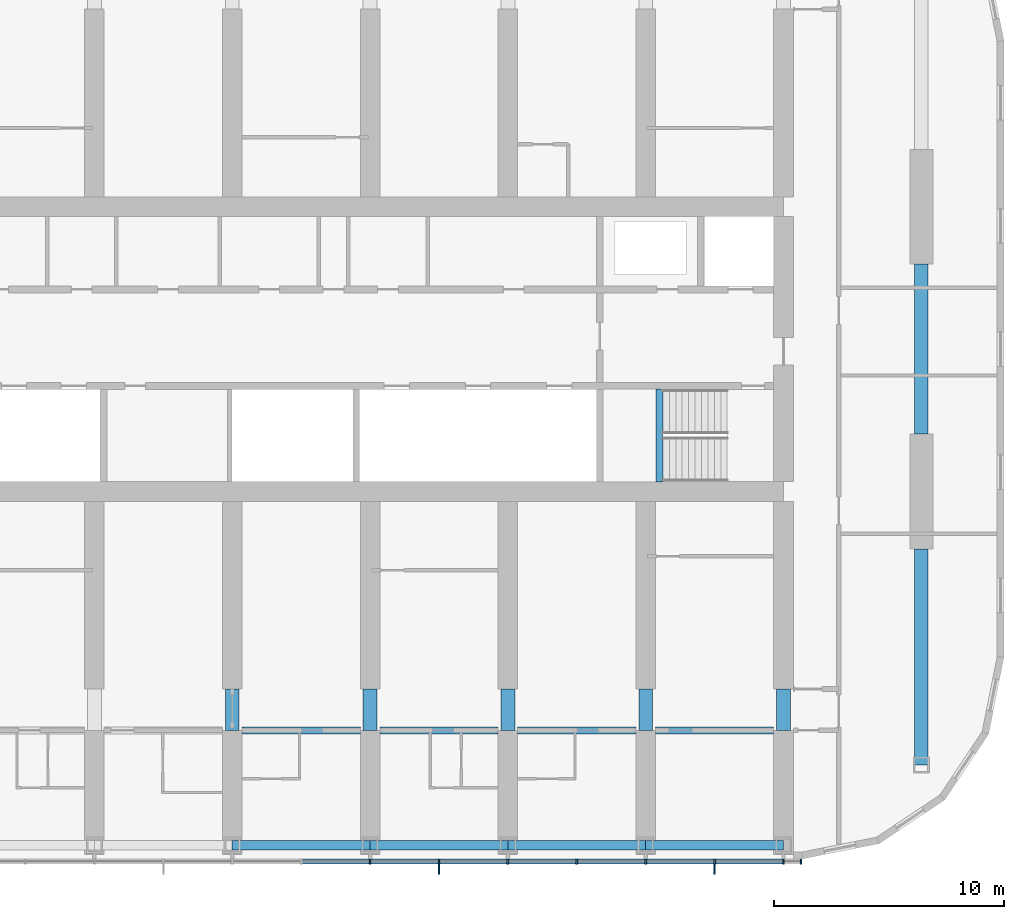
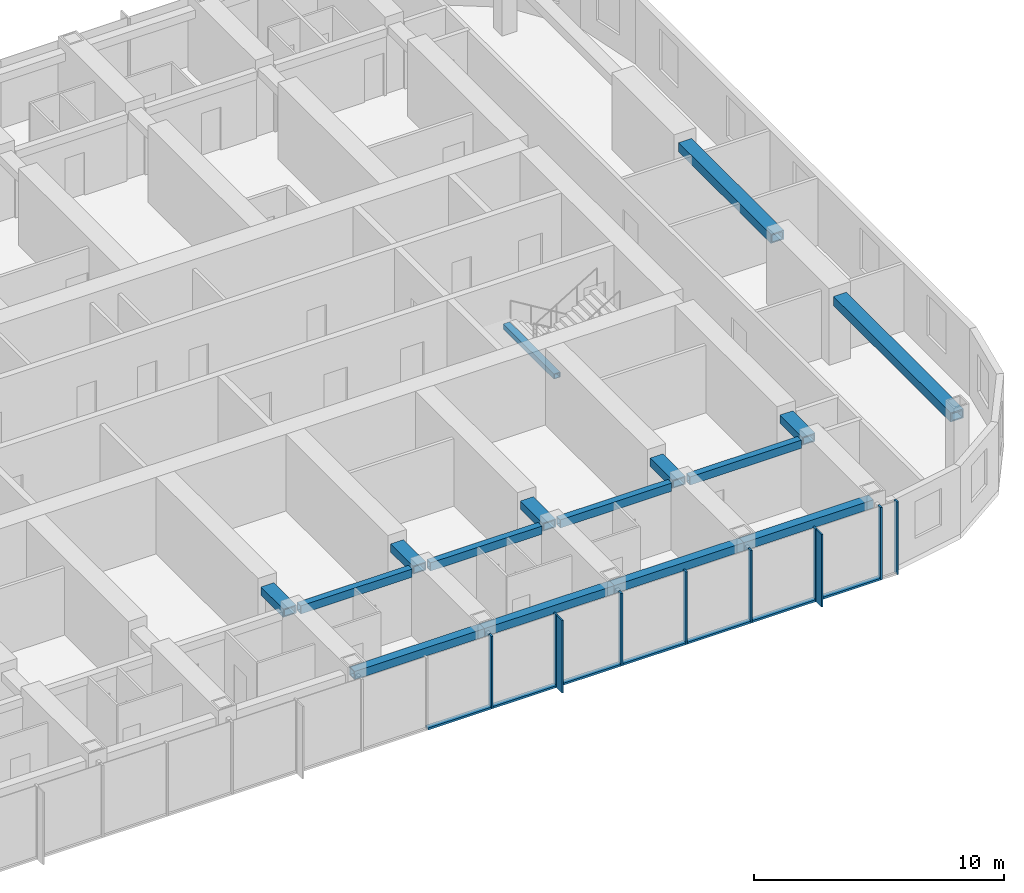
# One storey, part 3 of 22: 17 members, 16 beams, 1 element without a shape of its own.
"""IFC4 building model written with IfcOpenShell, lengths in metres."""

from ifc_helpers import new_model, si_unit, direction, frame, origin, origin_2d, place, context, subcontext, project, spatial, rectangle, hollow_rectangle, extrude, material, material_profile, profile_set, type_object, element, aggregate, save


model = new_model("IFC4")

# Units and contexts
model_context = context("Model", 3, precision=1e-05, world=origin(), true_north=direction((0.0, 1.0)))
body_context = subcontext(model_context, "Body", "Model", "MODEL_VIEW")
ifc_project = project(units=[si_unit("LENGTHUNIT", "METRE"), si_unit("AREAUNIT", "SQUARE_METRE"), si_unit("VOLUMEUNIT", "CUBIC_METRE"), si_unit("PLANEANGLEUNIT", "RADIAN"), si_unit("MASSUNIT", "GRAM", prefix="KILO")], contexts=[model_context])

# Site, building, storey
site_placement = place(None, origin())
site = spatial("IfcSite", under=ifc_project, at=site_placement, CompositionType="ELEMENT")
building_placement = place(site_placement, origin())
building = spatial("IfcBuilding", under=site, at=building_placement, Name="Orbita Commons", CompositionType="ELEMENT")
storey_placement = place(building_placement, frame((0.0, 0.0, 159.85009765625)))
storey = spatial("IfcBuildingStorey", under=building, at=storey_placement, Name="L39", CompositionType="ELEMENT", Elevation=159.85009765625)

# Curtain wall, members
ifc_material_1 = material(Name="Anodised aluminium frame, pale silver", Category="aluminium")
curtain_wall_type = type_object("IfcCurtainWallType", Name="Unitised curtain wall CW-U, full-height vision", PredefinedType="NOTDEFINED", material=ifc_material_1)
curtain_wall_placement = place(storey_placement, origin())
curtain_wall = element("IfcCurtainWall", 1, at=curtain_wall_placement, inside=storey, type_object=curtain_wall_type, Name="Curtain wall south L39", PredefinedType="NOTDEFINED")
ifc_material_2 = material(Name="Anodised aluminium, pale silver", Category="aluminium")
ifc_material_profile_1 = material_profile(ifc_material_2, rectangle(XDim=0.080078125, YDim=0.219970703125, at=origin_2d()), Name="AL 80x220")
ifc_profile_set_1 = profile_set([ifc_material_profile_1], Name="Anodised aluminium, pale silver")
member_type_1 = type_object("IfcMemberType", Name="Curtain wall mullion 80x220", PredefinedType="MULLION", material=ifc_profile_set_1)
member_1_placement = place(storey_placement, frame((48.0, 9.68994140625, -0.25), z_axis=(0.0, 0.0, 1.0), x_axis=(1.0, 0.0, 0.0)))
member_1 = element("IfcMember", 2, at=member_1_placement, type_object=member_type_1, Name="Mullion 12 CW-L39-S", PredefinedType="MULLION", context=body_context, shape_type="SweptSolid", body=[
    extrude(rectangle(XDim=0.080078125, YDim=0.219970703125, at=origin_2d()), origin(), (0.0, 0.0, 1.0), 3.5498046875),
])
member_2_placement = place(storey_placement, frame((51.0, 9.68994140625, -0.25), z_axis=(0.0, 0.0, 1.0), x_axis=(1.0, 0.0, 0.0)))
member_2 = element("IfcMember", 3, at=member_2_placement, type_object=member_type_1, Name="Mullion 13 CW-L39-S", PredefinedType="MULLION", context=body_context, shape_type="SweptSolid", body=[
    extrude(rectangle(XDim=0.080078125, YDim=0.219970703125, at=origin_2d()), origin(), (0.0, 0.0, 1.0), 3.5498046875),
])
member_3_placement = place(storey_placement, frame((54.0, 9.68994140625, -0.25), z_axis=(0.0, 0.0, 1.0), x_axis=(1.0, 0.0, 0.0)))
member_3 = element("IfcMember", 4, at=member_3_placement, type_object=member_type_1, Name="Mullion 14 CW-L39-S", PredefinedType="MULLION", context=body_context, shape_type="SweptSolid", body=[
    extrude(rectangle(XDim=0.080078125, YDim=0.219970703125, at=origin_2d()), origin(), (0.0, 0.0, 1.0), 3.5498046875),
])
member_4_placement = place(storey_placement, frame((57.0, 9.68994140625, -0.25), z_axis=(0.0, 0.0, 1.0), x_axis=(1.0, 0.0, 0.0)))
member_4 = element("IfcMember", 5, at=member_4_placement, type_object=member_type_1, Name="Mullion 15 CW-L39-S", PredefinedType="MULLION", context=body_context, shape_type="SweptSolid", body=[
    extrude(rectangle(XDim=0.080078125, YDim=0.219970703125, at=origin_2d()), origin(), (0.0, 0.0, 1.0), 3.5498046875),
])
member_5_placement = place(storey_placement, frame((60.0, 9.68994140625, -0.25), z_axis=(0.0, 0.0, 1.0), x_axis=(1.0, 0.0, 0.0)))
member_5 = element("IfcMember", 6, at=member_5_placement, type_object=member_type_1, Name="Mullion 16 CW-L39-S", PredefinedType="MULLION", context=body_context, shape_type="SweptSolid", body=[
    extrude(rectangle(XDim=0.080078125, YDim=0.219970703125, at=origin_2d()), origin(), (0.0, 0.0, 1.0), 3.5498046875),
])
member_6_placement = place(storey_placement, frame((63.0, 9.68994140625, -0.25), z_axis=(0.0, 0.0, 1.0), x_axis=(1.0, 0.0, 0.0)))
member_6 = element("IfcMember", 7, at=member_6_placement, type_object=member_type_1, Name="Mullion 17 CW-L39-S", PredefinedType="MULLION", context=body_context, shape_type="SweptSolid", body=[
    extrude(rectangle(XDim=0.080078125, YDim=0.219970703125, at=origin_2d()), origin(), (0.0, 0.0, 1.0), 3.5498046875),
])
member_7_placement = place(storey_placement, frame((66.0, 9.68994140625, -0.25), z_axis=(0.0, 0.0, 1.0), x_axis=(1.0, 0.0, 0.0)))
member_7 = element("IfcMember", 8, at=member_7_placement, type_object=member_type_1, Name="Mullion 18 CW-L39-S", PredefinedType="MULLION", context=body_context, shape_type="SweptSolid", body=[
    extrude(rectangle(XDim=0.080078125, YDim=0.219970703125, at=origin_2d()), origin(), (0.0, 0.0, 1.0), 3.5498046875),
])
member_8_placement = place(storey_placement, frame((66.760009765625, 9.68994140625, -0.25), z_axis=(0.0, 0.0, 1.0), x_axis=(1.0, 0.0, 0.0)))
member_8 = element("IfcMember", 9, at=member_8_placement, type_object=member_type_1, Name="Mullion 19 CW-L39-S", PredefinedType="MULLION", context=body_context, shape_type="SweptSolid", body=[
    extrude(rectangle(XDim=0.080078125, YDim=0.219970703125, at=origin_2d()), origin(), (0.0, 0.0, 1.0), 3.5498046875),
])
ifc_material_3 = material(Name="Anodised aluminium, pale silver", Category="aluminium")
ifc_material_profile_2 = material_profile(ifc_material_3, rectangle(XDim=0.219970703125, YDim=0.10009765625, at=origin_2d()), Name="AL 220x100")
ifc_profile_set_2 = profile_set([ifc_material_profile_2], Name="Anodised aluminium, pale silver")
member_type_2 = type_object("IfcMemberType", Name="Curtain wall stack transom 220x100", PredefinedType="USERDEFINED", material=ifc_profile_set_2)
member_9_placement = place(storey_placement, frame((45.0400390625, 9.68994140625, -0.2001953125), z_axis=(1.0, 0.0, 0.0), x_axis=(0.0, 1.0, 0.0)))
member_9 = element("IfcMember", 10, at=member_9_placement, type_object=member_type_2, Name="Transom 11.1 CW-L39-S", ObjectType="TRANSOM", PredefinedType="USERDEFINED", context=body_context, shape_type="SweptSolid", body=[
    extrude(rectangle(XDim=0.219970703125, YDim=0.10009765625, at=origin_2d()), origin(), (0.0, 0.0, 1.0), 2.919921875),
])
member_10_placement = place(storey_placement, frame((48.0400390625, 9.68994140625, -0.2001953125), z_axis=(1.0, 0.0, 0.0), x_axis=(0.0, 1.0, 0.0)))
member_10 = element("IfcMember", 11, at=member_10_placement, type_object=member_type_2, Name="Transom 12.1 CW-L39-S", ObjectType="TRANSOM", PredefinedType="USERDEFINED", context=body_context, shape_type="SweptSolid", body=[
    extrude(rectangle(XDim=0.219970703125, YDim=0.10009765625, at=origin_2d()), origin(), (0.0, 0.0, 1.0), 2.919921875),
])
member_11_placement = place(storey_placement, frame((51.0400390625, 9.68994140625, -0.2001953125), z_axis=(1.0, 0.0, 0.0), x_axis=(0.0, 1.0, 0.0)))
member_11 = element("IfcMember", 12, at=member_11_placement, type_object=member_type_2, Name="Transom 13.1 CW-L39-S", ObjectType="TRANSOM", PredefinedType="USERDEFINED", context=body_context, shape_type="SweptSolid", body=[
    extrude(rectangle(XDim=0.219970703125, YDim=0.10009765625, at=origin_2d()), origin(), (0.0, 0.0, 1.0), 2.919921875),
])
member_12_placement = place(storey_placement, frame((54.0400390625, 9.68994140625, -0.2001953125), z_axis=(1.0, 0.0, 0.0), x_axis=(0.0, 1.0, 0.0)))
member_12 = element("IfcMember", 13, at=member_12_placement, type_object=member_type_2, Name="Transom 14.1 CW-L39-S", ObjectType="TRANSOM", PredefinedType="USERDEFINED", context=body_context, shape_type="SweptSolid", body=[
    extrude(rectangle(XDim=0.219970703125, YDim=0.10009765625, at=origin_2d()), origin(), (0.0, 0.0, 1.0), 2.919921875),
])
member_13_placement = place(storey_placement, frame((57.0400390625, 9.68994140625, -0.2001953125), z_axis=(1.0, 0.0, 0.0), x_axis=(0.0, 1.0, 0.0)))
member_13 = element("IfcMember", 14, at=member_13_placement, type_object=member_type_2, Name="Transom 15.1 CW-L39-S", ObjectType="TRANSOM", PredefinedType="USERDEFINED", context=body_context, shape_type="SweptSolid", body=[
    extrude(rectangle(XDim=0.219970703125, YDim=0.10009765625, at=origin_2d()), origin(), (0.0, 0.0, 1.0), 2.919921875),
])
member_14_placement = place(storey_placement, frame((60.0400390625, 9.68994140625, -0.2001953125), z_axis=(1.0, 0.0, 0.0), x_axis=(0.0, 1.0, 0.0)))
member_14 = element("IfcMember", 15, at=member_14_placement, type_object=member_type_2, Name="Transom 16.1 CW-L39-S", ObjectType="TRANSOM", PredefinedType="USERDEFINED", context=body_context, shape_type="SweptSolid", body=[
    extrude(rectangle(XDim=0.219970703125, YDim=0.10009765625, at=origin_2d()), origin(), (0.0, 0.0, 1.0), 2.919921875),
])
member_15_placement = place(storey_placement, frame((63.0400390625, 9.68994140625, -0.2001953125), z_axis=(1.0, 0.0, 0.0), x_axis=(0.0, 1.0, 0.0)))
member_15 = element("IfcMember", 16, at=member_15_placement, type_object=member_type_2, Name="Transom 17.1 CW-L39-S", ObjectType="TRANSOM", PredefinedType="USERDEFINED", context=body_context, shape_type="SweptSolid", body=[
    extrude(rectangle(XDim=0.219970703125, YDim=0.10009765625, at=origin_2d()), origin(), (0.0, 0.0, 1.0), 2.919921875),
])

# Beams
ifc_material_4 = material(Name="Steel ASTM A572 Gr 50 welded plate", Category="steel")
ifc_material_profile_3 = material_profile(ifc_material_4, hollow_rectangle(XDim=0.300048828125, YDim=0.25, WallThickness=0.02490234375, at=origin_2d()), Name="BOX 250x300x25")
ifc_profile_set_3 = profile_set([ifc_material_profile_3], Name="Steel ASTM A572 Gr 50 welded plate")
beam_type_1 = type_object("IfcBeamType", Name="Stair landing beam steel BOX 250x300x25", PredefinedType="BEAM", material=ifc_profile_set_3)
beam_1_placement = place(storey_placement, frame((60.60009765625, 26.2099609375, 1.5498046875), z_axis=(0.0, 1.0, 0.0), x_axis=(-1.0, 0.0, 0.0)))
element("IfcBeam", 17, at=beam_1_placement, inside=storey, type_object=beam_type_1, Name="Stair S2 landing beam L39 1", PredefinedType="BEAM", context=body_context, shape_type="SweptSolid", body=[
    extrude(hollow_rectangle(XDim=0.300048828125, YDim=0.25, WallThickness=0.02490234375, at=origin_2d()), origin(), (0.0, 0.0, 1.0), 4.054931640625),
])
ifc_material_5 = material(Name="Steel ASTM A572 Gr 50 welded plate", Category="steel")
ifc_material_profile_4 = material_profile(ifc_material_5, hollow_rectangle(XDim=0.300048828125, YDim=0.39990234375, WallThickness=0.0400390625, at=origin_2d()), Name="BOX 400x300x40")
ifc_profile_set_4 = profile_set([ifc_material_profile_4], Name="Steel ASTM A572 Gr 50 welded plate")
beam_type_2 = type_object("IfcBeamType", Name="Steel corridor link BOX 400x300x40", PredefinedType="BEAM", material=ifc_profile_set_4)
for number, where, z_axis, x_axis, name in (
    (18, (42.425048828125, 15.39990234375, 3.099853515625), (1.0, 0.0, 0.0), (0.0, 1.0, 0.0), "Corridor beam SA 8-9 L39"),
    (19, (48.425048828125, 15.39990234375, 3.099853515625), (1.0, 0.0, 0.0), (0.0, 1.0, 0.0), "Corridor beam SA 9-10 L39"),
    (20, (54.425048828125, 15.39990234375, 3.099853515625), (1.0, 0.0, 0.0), (0.0, 1.0, 0.0), "Corridor beam SA 10-11 L39"),
    (21, (60.425048828125, 15.39990234375, 3.099853515625), (1.0, 0.0, 0.0), (0.0, 1.0, 0.0), "Corridor beam SA 11-12 L39"),
):
    element("IfcBeam", number, at=place(storey_placement, frame(where, z_axis=z_axis, x_axis=x_axis)), inside=storey, type_object=beam_type_2, Name=name, PredefinedType="BEAM", context=body_context, shape_type="SweptSolid", body=[
        extrude(hollow_rectangle(XDim=0.300048828125, YDim=0.39990234375, WallThickness=0.0400390625, at=origin_2d()), origin(), (0.0, 0.0, 1.0), 5.14990234375),
    ])
ifc_material_6 = material(Name="Steel ASTM A572 Gr 50 welded plate", Category="steel")
ifc_material_profile_5 = material_profile(ifc_material_6, hollow_rectangle(XDim=0.60009765625, YDim=0.39990234375, WallThickness=0.050048828125, at=origin_2d()), Name="BOX 400x600x50")
ifc_profile_set_5 = profile_set([ifc_material_profile_5], Name="Steel ASTM A572 Gr 50 welded plate")
beam_type_3 = type_object("IfcBeamType", Name="Steel coupling link BOX 400x600x50", PredefinedType="LINTEL", material=ifc_profile_set_5)
for number, where, z_axis, x_axis, name in (
    (22, (42.0, 15.39990234375, 3.099853515625), (0.0, 1.0, 0.0), (-1.0, 0.0, 0.0), "Coupling beam 8 south L39"),
    (23, (48.0, 15.39990234375, 3.099853515625), (0.0, 1.0, 0.0), (-1.0, 0.0, 0.0), "Coupling beam 9 south L39"),
    (24, (54.0, 15.39990234375, 3.099853515625), (0.0, 1.0, 0.0), (-1.0, 0.0, 0.0), "Coupling beam 10 south L39"),
    (25, (60.0, 15.39990234375, 3.099853515625), (0.0, 1.0, 0.0), (-1.0, 0.0, 0.0), "Coupling beam 11 south L39"),
    (26, (66.0, 15.39990234375, 3.099853515625), (0.0, 1.0, 0.0), (-1.0, 0.0, 0.0), "Coupling beam 12 south L39"),
):
    element("IfcBeam", number, at=place(storey_placement, frame(where, z_axis=z_axis, x_axis=x_axis)), inside=storey, type_object=beam_type_3, Name=name, PredefinedType="LINTEL", context=body_context, shape_type="SweptSolid", body=[
        extrude(hollow_rectangle(XDim=0.60009765625, YDim=0.39990234375, WallThickness=0.050048828125, at=origin_2d()), origin(), (0.0, 0.0, 1.0), 1.800048828125),
    ])
ifc_material_7 = material(Name="Steel ASTM A572 Gr 50 welded plate", Category="steel")
ifc_material_profile_6 = material_profile(ifc_material_7, hollow_rectangle(XDim=0.60009765625, YDim=0.449951171875, WallThickness=0.06005859375, at=origin_2d()), Name="BOX 450x600x60")
ifc_profile_set_6 = profile_set([ifc_material_profile_6], Name="Steel ASTM A572 Gr 50 welded plate")
beam_type_4 = type_object("IfcBeamType", Name="Steel end frame link BOX 450x600x60", PredefinedType="BEAM", material=ifc_profile_set_6)
beam_2_placement = place(storey_placement, frame((72.0, 13.89990234375, 3.074951171875), z_axis=(0.0, 1.0, 0.0), x_axis=(-1.0, 0.0, 0.0)))
element("IfcBeam", 27, at=beam_2_placement, inside=storey, type_object=beam_type_4, Name="End frame beam 13 B-C L39", PredefinedType="BEAM", context=body_context, shape_type="SweptSolid", body=[
    extrude(hollow_rectangle(XDim=0.60009765625, YDim=0.449951171875, WallThickness=0.06005859375, at=origin_2d()), origin(), (0.0, 0.0, 1.0), 9.400146484375),
])
beam_3_placement = place(storey_placement, frame((72.0, 28.300048828125, 3.074951171875), z_axis=(0.0, 1.0, 0.0), x_axis=(-1.0, 0.0, 0.0)))
element("IfcBeam", 28, at=beam_3_placement, inside=storey, type_object=beam_type_4, Name="End frame beam 13 C-D L39", PredefinedType="BEAM", context=body_context, shape_type="SweptSolid", body=[
    extrude(hollow_rectangle(XDim=0.60009765625, YDim=0.449951171875, WallThickness=0.06005859375, at=origin_2d()), origin(), (0.0, 0.0, 1.0), 7.39990234375),
])
ifc_material_8 = material(Name="Steel ASTM A572 Gr 50 welded plate", Category="steel")
ifc_material_profile_7 = material_profile(ifc_material_8, hollow_rectangle(XDim=0.39990234375, YDim=0.39990234375, WallThickness=0.0400390625, at=origin_2d()), Name="BOX 400x400x40")
ifc_profile_set_7 = profile_set([ifc_material_profile_7], Name="Steel ASTM A572 Gr 50 welded plate")
beam_type_5 = type_object("IfcBeamType", Name="Steel spandrel BOX 400x400x40", PredefinedType="SPANDREL", material=ifc_profile_set_7)
for number, where, z_axis, x_axis, name in (
    (29, (42.0, 10.39990234375, 3.099853515625), (1.0, 0.0, 0.0), (0.0, 1.0, 0.0), "Spandrel beam B 8-9 L39"),
    (30, (48.0, 10.39990234375, 3.099853515625), (1.0, 0.0, 0.0), (0.0, 1.0, 0.0), "Spandrel beam B 9-10 L39"),
    (31, (54.0, 10.39990234375, 3.099853515625), (1.0, 0.0, 0.0), (0.0, 1.0, 0.0), "Spandrel beam B 10-11 L39"),
    (32, (60.0, 10.39990234375, 3.099853515625), (1.0, 0.0, 0.0), (0.0, 1.0, 0.0), "Spandrel beam B 11-12 L39"),
):
    element("IfcBeam", number, at=place(storey_placement, frame(where, z_axis=z_axis, x_axis=x_axis)), inside=storey, type_object=beam_type_5, Name=name, PredefinedType="SPANDREL", context=body_context, shape_type="SweptSolid", body=[
        extrude(hollow_rectangle(XDim=0.39990234375, YDim=0.39990234375, WallThickness=0.0400390625, at=origin_2d()), origin(), (0.0, 0.0, 1.0), 6.0),
    ])

# Member
ifc_material_9 = material(Name="Anodised aluminium, pale silver", Category="aluminium")
ifc_material_profile_8 = material_profile(ifc_material_9, rectangle(XDim=0.06005859375, YDim=0.449951171875, at=origin_2d()), Name="FIN 60x450")
ifc_profile_set_8 = profile_set([ifc_material_profile_8], Name="Anodised aluminium, pale silver")
member_type_3 = type_object("IfcMemberType", Name="Vertical fin 60x450 pale aluminium", PredefinedType="USERDEFINED", material=ifc_profile_set_8)
member_16_placement = place(storey_placement, frame((51.0, 9.35498046875, -0.25), z_axis=(0.0, 0.0, 1.0), x_axis=(1.0, 0.0, 0.0)))
member_16 = element("IfcMember", 33, at=member_16_placement, type_object=member_type_3, Name="Fin 13 CW-L39-S", ObjectType="FIN", PredefinedType="USERDEFINED", context=body_context, shape_type="SweptSolid", body=[
    extrude(rectangle(XDim=0.06005859375, YDim=0.449951171875, at=origin_2d()), origin(), (0.0, 0.0, 1.0), 3.5498046875),
])

member_17_placement = place(storey_placement, frame((63.0, 9.35498046875, -0.25), z_axis=(0.0, 0.0, 1.0), x_axis=(1.0, 0.0, 0.0)))
member_17 = element("IfcMember", 34, at=member_17_placement, type_object=member_type_3, Name="Fin 17 CW-L39-S", ObjectType="FIN", PredefinedType="USERDEFINED", context=body_context, shape_type="SweptSolid", body=[
    extrude(rectangle(XDim=0.06005859375, YDim=0.449951171875, at=origin_2d()), origin(), (0.0, 0.0, 1.0), 3.5498046875),
])

aggregate(curtain_wall, [member_1, member_2, member_16, member_3, member_4, member_5, member_6, member_17, member_7, member_8, member_9, member_10, member_11, member_12, member_13, member_14, member_15])

save(model, "model.ifc")
